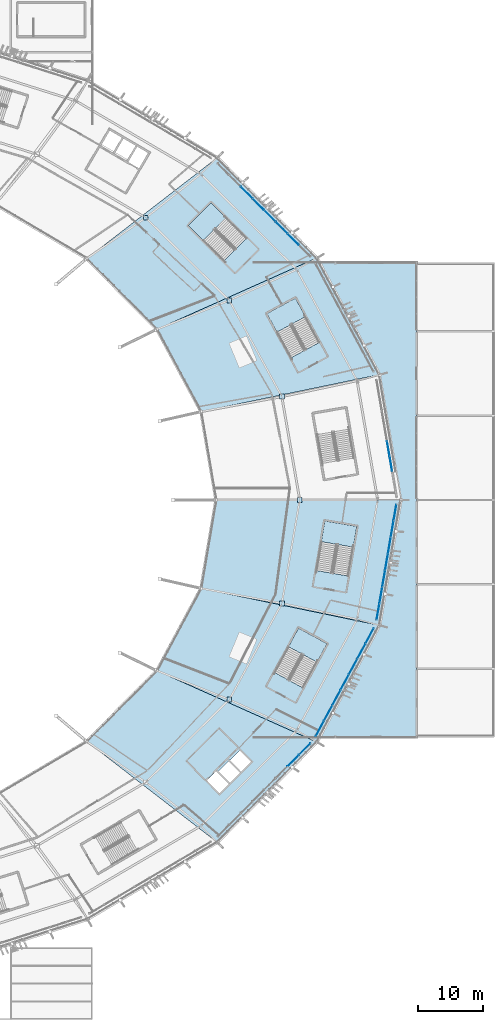
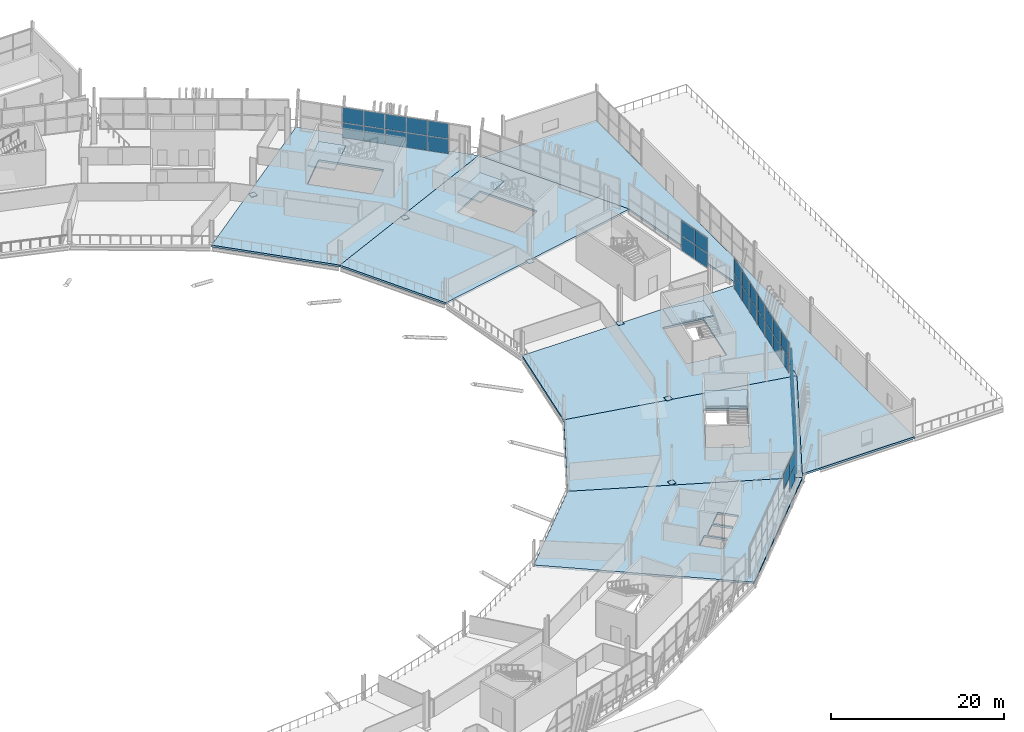
# One storey, part 87 of 168: 51 plates, 10 slabs, 9 elements without a shape of their own.
"""IFC4 building model written with IfcOpenShell, lengths in metres."""

from ifc_helpers import new_model, si_unit, direction, frame, origin, origin_2d, place, context, subcontext, project, spatial, polyline, rectangle, outline, extrude, material, layer, layer_set, type_object, element, aggregate, save


model = new_model("IFC4")

# Units and contexts
model_context = context("Model", 3, precision=1e-05, world=origin(), true_north=direction((0.0, 1.0)))
body_context = subcontext(model_context, "Body", "Model", "MODEL_VIEW")
ifc_project = project(units=[si_unit("LENGTHUNIT", "METRE"), si_unit("AREAUNIT", "SQUARE_METRE"), si_unit("VOLUMEUNIT", "CUBIC_METRE"), si_unit("PLANEANGLEUNIT", "RADIAN"), si_unit("MASSUNIT", "GRAM", prefix="KILO")], contexts=[model_context])

# Site, building, storey
site_placement = place(None, origin())
site = spatial("IfcSite", under=ifc_project, at=site_placement, CompositionType="ELEMENT")
building_placement = place(site_placement, origin())
building = spatial("IfcBuilding", under=site, at=building_placement, Name="Zlatoyarsky Gate Stadium", CompositionType="ELEMENT")
storey_placement = place(building_placement, frame((0.0, 0.0, 15.60009765625)))
storey = spatial("IfcBuildingStorey", under=building, at=storey_placement, Name="L03", CompositionType="ELEMENT", Elevation=15.60009765625)

# Curtain wall, plates
ifc_material_1 = material(Name="Thermally broken anodised aluminium curtain wall", Category="aluminium")
curtain_wall_type_1 = type_object("IfcCurtainWallType", Name="MONUMENTAL ARCHED GATE GLAZING UPPER", PredefinedType="USERDEFINED", material=ifc_material_1)
curtain_wall_1_placement = place(storey_placement, origin())
curtain_wall_1 = element("IfcCurtainWall", 1, at=curtain_wall_1_placement, inside=storey, type_object=curtain_wall_type_1, Name="Curtain wall CW-L03-00", ObjectType="ARCHED GATE GLAZING", PredefinedType="USERDEFINED")
ifc_material_2 = material(Name="Triple-glazed argon low-e architectural glass", Category="glass")
ifc_layer_1 = layer(ifc_material_2, 0.0458984375)
ifc_layer_set_1 = layer_set([ifc_layer_1], Name="Triple-glazed argon low-e architectural glass")
plate_type_1 = type_object("IfcPlateType", Name="ACOUSTIC LAMINATED GATE GLAZING PANEL 46", PredefinedType="CURTAIN_PANEL", material=ifc_layer_set_1)
plate_1_placement = place(storey_placement, frame((206.048828125, 85.58203125, 0.074951171875), z_axis=(0.0, 0.0, 1.0), x_axis=(-0.168353683036, 0.985726654508, 0.0)))
plate_1 = element("IfcPlate", 2, at=plate_1_placement, type_object=plate_type_1, Name="CW-AG2 panel 1.1", PredefinedType="CURTAIN_PANEL", context=body_context, shape_type="SweptSolid", body=[
    extrude(rectangle(XDim=2.27587890625, YDim=0.0458984375, at=origin_2d()), origin(), (0.0, 0.0, 1.0), 2.03759765625),
])
plate_2_placement = place(storey_placement, frame((206.048828125, 85.58203125, 2.1875), z_axis=(0.0, 0.0, 1.0), x_axis=(-0.168353683036, 0.985726654508, 0.0)))
plate_2 = element("IfcPlate", 3, at=plate_2_placement, type_object=plate_type_1, Name="CW-AG2 panel 1.2", PredefinedType="CURTAIN_PANEL", context=body_context, shape_type="SweptSolid", body=[
    extrude(rectangle(XDim=2.27587890625, YDim=0.0458984375, at=origin_2d()), origin(), (0.0, 0.0, 1.0), 2.117431640625),
])
plate_3_placement = place(storey_placement, frame((205.64990234375, 87.91796875, 0.074951171875), z_axis=(0.0, 0.0, 1.0), x_axis=(-0.168353683036, 0.985726654508, 0.0)))
plate_3 = element("IfcPlate", 4, at=plate_3_placement, type_object=plate_type_1, Name="CW-AG2 panel 2.1", PredefinedType="CURTAIN_PANEL", context=body_context, shape_type="SweptSolid", body=[
    extrude(rectangle(XDim=2.3134765625, YDim=0.0458984375, at=origin_2d()), origin(), (0.0, 0.0, 1.0), 2.03759765625),
])
plate_4_placement = place(storey_placement, frame((205.64990234375, 87.91796875, 2.1875), z_axis=(0.0, 0.0, 1.0), x_axis=(-0.168353683036, 0.985726654508, 0.0)))
plate_4 = element("IfcPlate", 5, at=plate_4_placement, type_object=plate_type_1, Name="CW-AG2 panel 2.2", PredefinedType="CURTAIN_PANEL", context=body_context, shape_type="SweptSolid", body=[
    extrude(rectangle(XDim=2.3134765625, YDim=0.0458984375, at=origin_2d()), origin(), (0.0, 0.0, 1.0), 2.117431640625),
])
aggregate(curtain_wall_1, [plate_1, plate_2, plate_3, plate_4])

# Slabs
ifc_material_3 = material(Name="Concrete C40/50", Category="concrete")
ifc_layer_2 = layer(ifc_material_3, 0.280029296875)
ifc_layer_set_2 = layer_set([ifc_layer_2], Name="Concrete C40/50")
slab_type_1 = type_object("IfcSlabType", Name="CONCRETE HOSPITALITY SLAB 280", PredefinedType="FLOOR", material=ifc_layer_set_2)
slab_1_placement = place(storey_placement, frame((0.0, 0.0, -0.280029296875)))
element("IfcSlab", 6, at=slab_1_placement, inside=storey, type_object=slab_type_1, Name="L03 bowl sector 01 slab", PredefinedType="FLOOR", context=body_context, shape_type="SweptSolid", body=[
    extrude(outline(polyline([(169.8896484375, 106.25), (194.74658203125, 117.35107421875), (204.4072265625, 99.33447265625), (176.68310546875, 93.587890625), (169.8896484375, 106.25)]), holes=[polyline([(195.030517578125, 104.287353515625), (191.33447265625, 111.09912109375), (186.939697265625, 108.71484375), (190.635498046875, 101.90283203125), (195.030517578125, 104.287353515625)])]), origin(), (0.0, 0.0, 1.0), 0.280029296875),
])
slab_2_placement = place(storey_placement, frame((0.0, 0.0, -0.280029296875)))
element("IfcSlab", 7, at=slab_2_placement, inside=storey, type_object=slab_type_1, Name="L03 bowl sector 02 slab", PredefinedType="FLOOR", context=body_context, shape_type="SweptSolid", body=[
    extrude(outline(polyline([(159.083251953125, 117.123046875), (179.37890625, 132.822509765625), (194.74658203125, 117.35107421875), (169.8896484375, 106.25), (159.083251953125, 117.123046875)]), holes=[polyline([(183.828125, 120.347412109375), (178.334228515625, 125.8134765625), (174.8076171875, 122.268798828125), (180.3017578125, 116.802734375), (183.828125, 120.347412109375)])]), origin(), (0.0, 0.0, 1.0), 0.280029296875),
])
slab_3_placement = place(storey_placement, frame((0.0, 0.0, -0.280029296875)))
element("IfcSlab", 8, at=slab_3_placement, inside=storey, type_object=slab_type_1, Name="L03 bowl sector 21 slab", PredefinedType="FLOOR", context=body_context, shape_type="SweptSolid", body=[
    extrude(outline(polyline([(169.8896484375, 53.75), (194.74658203125, 42.64892578125), (179.37890625, 27.177490234375), (159.083251953125, 42.876953125), (169.8896484375, 53.75)]), holes=[polyline([(179.643310546875, 34.814208984375), (181.06103515625, 36.224853515625), (179.086181640625, 38.209716796875), (177.668212890625, 36.799072265625), (179.643310546875, 34.814208984375)]), polyline([(181.23828125, 36.401123046875), (182.7978515625, 37.952880859375), (181.034423828125, 39.72509765625), (179.47509765625, 38.17333984375), (181.23828125, 36.401123046875)]), polyline([(182.97509765625, 38.129150390625), (184.53466796875, 39.680908203125), (182.771240234375, 41.452880859375), (181.2119140625, 39.9013671875), (182.97509765625, 38.129150390625)])]), origin(), (0.0, 0.0, 1.0), 0.280029296875),
])
slab_4_placement = place(storey_placement, frame((0.0, 0.0, -0.280029296875)))
element("IfcSlab", 9, at=slab_4_placement, inside=storey, type_object=slab_type_1, Name="L03 bowl sector 22 slab", PredefinedType="FLOOR", context=body_context, shape_type="SweptSolid", body=[
    extrude(outline(polyline([(176.68310546875, 66.412109375), (204.4072265625, 60.66552734375), (194.74658203125, 42.64892578125), (169.8896484375, 53.75), (176.68310546875, 66.412109375)]), holes=[polyline([(188.108154296875, 53.438720703125), (192.5029296875, 51.05419921875), (196.19873046875, 57.8662109375), (191.803955078125, 60.250732421875), (188.108154296875, 53.438720703125)])]), origin(), (0.0, 0.0, 1.0), 0.280029296875),
])
slab_5_placement = place(storey_placement, frame((0.0, 0.0, -0.280029296875)))
element("IfcSlab", 10, at=slab_5_placement, inside=storey, type_object=slab_type_1, Name="L03 bowl sector 23 slab", PredefinedType="FLOOR", context=body_context, shape_type="SweptSolid", body=[
    extrude(outline(polyline([(179.0, 80.0), (207.7021484375, 80.0), (204.4072265625, 60.66552734375), (176.68310546875, 66.412109375), (179.0, 80.0)]), holes=[polyline([(194.547607421875, 69.1416015625), (199.474609375, 68.2919921875), (200.791748046875, 75.92919921875), (195.864501953125, 76.77880859375), (194.547607421875, 69.1416015625)])]), origin(), (0.0, 0.0, 1.0), 0.280029296875),
])
slab_6_placement = place(storey_placement, frame((0.0, 0.0, -0.280029296875)))
element("IfcSlab", 11, at=slab_6_placement, inside=storey, type_object=slab_type_1, Name="L03 wing V5_EAST slab", PredefinedType="FLOOR", context=body_context, shape_type="SweptSolid", body=[
    extrude(outline(polyline([(195.07421875, 43.260009765625), (204.4072265625, 60.66552734375), (207.7021484375, 80.0), (204.4072265625, 99.33447265625), (195.07421875, 116.739990234375), (210.0, 116.739990234375), (210.0, 43.260009765625), (195.07421875, 43.260009765625)])), origin(), (0.0, 0.0, 1.0), 0.280029296875),
])

# Stair, slab
stair_type = type_object("IfcStairType", Name="CONCRETE DOGLEG EXIT STAIR H5200", PredefinedType="TWO_STRAIGHT_RUN_STAIR", material=ifc_material_3)
stair_1_placement = place(storey_placement, origin())
stair_1 = element("IfcStair", 12, at=stair_1_placement, inside=storey, type_object=stair_type, Name="L03 Exit Stair ST-02", PredefinedType="TWO_STRAIGHT_RUN_STAIR")
ifc_layer_3 = layer(ifc_material_3, 0.199951171875)
ifc_layer_set_3 = layer_set([ifc_layer_3], Name="Concrete C40/50")
slab_type_2 = type_object("IfcSlabType", Name="CONCRETE STAIR LANDING SLAB 200", PredefinedType="LANDING", material=ifc_layer_set_3)
slab_7_placement = place(storey_placement, frame((0.0, 0.0, 2.39990234375)))
slab_7 = element("IfcSlab", 13, at=slab_7_placement, type_object=slab_type_2, Name="ST-DG52 landing 1", PredefinedType="LANDING", context=body_context, shape_type="SweptSolid", body=[
    extrude(outline(polyline([(180.63818359375, 123.521240234375), (178.334228515625, 125.8134765625), (174.8076171875, 122.26904296875), (177.111572265625, 119.9765625), (180.63818359375, 123.521240234375)])), origin(), (0.0, 0.0, 1.0), 0.199951171875),
])
aggregate(stair_1, [slab_7])

stair_2_placement = place(storey_placement, origin())
stair_2 = element("IfcStair", 14, at=stair_2_placement, inside=storey, type_object=stair_type, Name="L03 Exit Stair ST-12", PredefinedType="TWO_STRAIGHT_RUN_STAIR")
slab_8_placement = place(storey_placement, frame((0.0, 0.0, 2.39990234375)))
slab_8 = element("IfcSlab", 15, at=slab_8_placement, type_object=slab_type_2, Name="ST-DG52 landing 1", PredefinedType="LANDING", context=body_context, shape_type="SweptSolid", body=[
    extrude(outline(polyline([(194.64892578125, 55.009521484375), (196.19873046875, 57.8662109375), (191.803955078125, 60.250732421875), (190.254150390625, 57.39404296875), (194.64892578125, 55.009521484375)])), origin(), (0.0, 0.0, 1.0), 0.199951171875),
])
aggregate(stair_2, [slab_8])

stair_3_placement = place(storey_placement, origin())
stair_3 = element("IfcStair", 16, at=stair_3_placement, inside=storey, type_object=stair_type, Name="L03 Exit Stair ST-13", PredefinedType="TWO_STRAIGHT_RUN_STAIR")
slab_9_placement = place(storey_placement, frame((0.0, 0.0, 2.39990234375)))
slab_9 = element("IfcSlab", 17, at=slab_9_placement, type_object=slab_type_2, Name="ST-DG52 landing 1", PredefinedType="LANDING", context=body_context, shape_type="SweptSolid", body=[
    extrude(outline(polyline([(192.884521484375, 108.24267578125), (191.33447265625, 111.09912109375), (186.939697265625, 108.71484375), (188.489501953125, 105.858154296875), (192.884521484375, 108.24267578125)])), origin(), (0.0, 0.0, 1.0), 0.199951171875),
])
aggregate(stair_3, [slab_9])

stair_4_placement = place(storey_placement, origin())
stair_4 = element("IfcStair", 18, at=stair_4_placement, inside=storey, type_object=stair_type, Name="L03 Exit Stair ST-20", PredefinedType="TWO_STRAIGHT_RUN_STAIR")
slab_10_placement = place(storey_placement, frame((0.0, 0.0, 2.39990234375)))
slab_10 = element("IfcSlab", 19, at=slab_10_placement, type_object=slab_type_2, Name="ST-DG52 landing 1", PredefinedType="LANDING", context=body_context, shape_type="SweptSolid", body=[
    extrude(outline(polyline([(200.239501953125, 72.7265625), (200.791748046875, 75.92919921875), (195.864501953125, 76.77880859375), (195.312255859375, 73.576171875), (200.239501953125, 72.7265625)])), origin(), (0.0, 0.0, 1.0), 0.199951171875),
])
aggregate(stair_4, [slab_10])

# Plates
ifc_material_4 = material(Name="Steel S355", Category="steel")
ifc_layer_4 = layer(ifc_material_4, 0.0400390625)
ifc_layer_set_4 = layer_set([ifc_layer_4], Name="Steel S355")
plate_type_2 = type_object("IfcPlateType", Name="STEEL COLUMN BASE PLATE 40", PredefinedType="USERDEFINED", material=ifc_layer_set_4)
for number, where, z_axis, x_axis, name in (
    (20, (192.0, 80.0, 0.0), (0.0, 0.0, 1.0), (1.0, 0.0, 0.0), "Column base plate BP-01 at RB-00 L03"),
    (21, (189.239990234375, 95.91748046875, 0.0), (0.0, 0.0, 1.0), (1.0, 0.0, 0.0), "Column base plate BP-01 at RB-01 L03"),
    (22, (181.148193359375, 110.75, 0.0), (0.0, 0.0, 1.0), (1.0, 0.0, 0.0), "Column base plate BP-01 at RB-02 L03"),
    (23, (168.275634765625, 123.487060546875, 0.0), (0.0, 0.0, 1.0), (1.0, 0.0, 0.0), "Column base plate BP-01 at RB-03 L03"),
    (24, (181.148193359375, 49.25, 0.0), (0.0, 0.0, 1.0), (1.0, 0.0, 0.0), "Column base plate BP-01 at RB-22 L03"),
    (25, (189.239990234375, 64.08251953125, 0.0), (0.0, 0.0, 1.0), (1.0, 0.0, 0.0), "Column base plate BP-01 at RB-23 L03"),
):
    element("IfcPlate", number, at=place(storey_placement, frame(where, z_axis=z_axis, x_axis=x_axis)), inside=storey, type_object=plate_type_2, Name=name, ObjectType="BASE PLATE", PredefinedType="USERDEFINED", context=body_context, shape_type="SweptSolid", body=[
        extrude(rectangle(XDim=0.75, YDim=0.75, at=origin_2d()), origin(), (0.0, 0.0, 1.0), 0.0400390625),
    ])

# Curtain wall, plates
curtain_wall_type_2 = type_object("IfcCurtainWallType", Name="UNITISED CORPORATE BOX GLAZING L03", PredefinedType="USERDEFINED", material=ifc_material_1)
curtain_wall_2_placement = place(storey_placement, origin())
curtain_wall_2 = element("IfcCurtainWall", 26, at=curtain_wall_2_placement, inside=storey, type_object=curtain_wall_type_2, Name="Curtain wall CW-L03-02", ObjectType="UNITISED GLAZING", PredefinedType="USERDEFINED")
ifc_layer_5 = layer(ifc_material_2, 0.0380859375)
ifc_layer_set_5 = layer_set([ifc_layer_5], Name="Triple-glazed argon low-e architectural glass")
plate_type_3 = type_object("IfcPlateType", Name="TRIPLE GLAZED LOW E CURTAIN PANEL 38", PredefinedType="CURTAIN_PANEL", material=ifc_layer_set_5)
plate_5_placement = place(storey_placement, frame((190.9931640625, 120.162841796875, 0.06494140625), z_axis=(0.0, 0.0, 1.0), x_axis=(-0.705488725202, 0.708721143054, 0.0)))
plate_5 = element("IfcPlate", 27, at=plate_5_placement, type_object=plate_type_3, Name="CW-UG3 panel 2.1", PredefinedType="CURTAIN_PANEL", context=body_context, shape_type="SweptSolid", body=[
    extrude(rectangle(XDim=2.4755859375, YDim=0.0380859375, at=origin_2d()), origin(), (0.0, 0.0, 1.0), 2.052490234375),
])
plate_6_placement = place(storey_placement, frame((190.9931640625, 120.162841796875, 2.18212890625), z_axis=(0.0, 0.0, 1.0), x_axis=(-0.705488725202, 0.708721143054, 0.0)))
plate_6 = element("IfcPlate", 28, at=plate_6_placement, type_object=plate_type_3, Name="CW-UG3 panel 2.2", PredefinedType="CURTAIN_PANEL", context=body_context, shape_type="SweptSolid", body=[
    extrude(rectangle(XDim=2.4755859375, YDim=0.0380859375, at=origin_2d()), origin(), (0.0, 0.0, 1.0), 2.132568359375),
])
plate_7_placement = place(storey_placement, frame((189.20068359375, 121.96337890625, 0.06494140625), z_axis=(0.0, 0.0, 1.0), x_axis=(-0.705488725202, 0.708721143054, 0.0)))
plate_7 = element("IfcPlate", 29, at=plate_7_placement, type_object=plate_type_3, Name="CW-UG3 panel 3.1", PredefinedType="CURTAIN_PANEL", context=body_context, shape_type="SweptSolid", body=[
    extrude(rectangle(XDim=2.4755859375, YDim=0.0380859375, at=origin_2d()), origin(), (0.0, 0.0, 1.0), 2.052490234375),
])
plate_8_placement = place(storey_placement, frame((189.20068359375, 121.96337890625, 2.18212890625), z_axis=(0.0, 0.0, 1.0), x_axis=(-0.705488725202, 0.708721143054, 0.0)))
plate_8 = element("IfcPlate", 30, at=plate_8_placement, type_object=plate_type_3, Name="CW-UG3 panel 3.2", PredefinedType="CURTAIN_PANEL", context=body_context, shape_type="SweptSolid", body=[
    extrude(rectangle(XDim=2.4755859375, YDim=0.0380859375, at=origin_2d()), origin(), (0.0, 0.0, 1.0), 2.132568359375),
])
plate_9_placement = place(storey_placement, frame((187.408203125, 123.763916015625, 0.06494140625), z_axis=(0.0, 0.0, 1.0), x_axis=(-0.705488725202, 0.708721143054, 0.0)))
plate_9 = element("IfcPlate", 31, at=plate_9_placement, type_object=plate_type_3, Name="CW-UG3 panel 4.1", PredefinedType="CURTAIN_PANEL", context=body_context, shape_type="SweptSolid", body=[
    extrude(rectangle(XDim=2.4755859375, YDim=0.0380859375, at=origin_2d()), origin(), (0.0, 0.0, 1.0), 2.052490234375),
])
plate_10_placement = place(storey_placement, frame((187.408203125, 123.763916015625, 2.18212890625), z_axis=(0.0, 0.0, 1.0), x_axis=(-0.705488725202, 0.708721143054, 0.0)))
plate_10 = element("IfcPlate", 32, at=plate_10_placement, type_object=plate_type_3, Name="CW-UG3 panel 4.2", PredefinedType="CURTAIN_PANEL", context=body_context, shape_type="SweptSolid", body=[
    extrude(rectangle(XDim=2.4755859375, YDim=0.0380859375, at=origin_2d()), origin(), (0.0, 0.0, 1.0), 2.132568359375),
])
plate_11_placement = place(storey_placement, frame((185.61572265625, 125.564697265625, 0.06494140625), z_axis=(0.0, 0.0, 1.0), x_axis=(-0.705488725202, 0.708721143054, 0.0)))
plate_11 = element("IfcPlate", 33, at=plate_11_placement, type_object=plate_type_3, Name="CW-UG3 panel 5.1", PredefinedType="CURTAIN_PANEL", context=body_context, shape_type="SweptSolid", body=[
    extrude(rectangle(XDim=2.4755859375, YDim=0.0380859375, at=origin_2d()), origin(), (0.0, 0.0, 1.0), 2.052490234375),
])
plate_12_placement = place(storey_placement, frame((185.61572265625, 125.564697265625, 2.18212890625), z_axis=(0.0, 0.0, 1.0), x_axis=(-0.705488725202, 0.708721143054, 0.0)))
plate_12 = element("IfcPlate", 34, at=plate_12_placement, type_object=plate_type_3, Name="CW-UG3 panel 5.2", PredefinedType="CURTAIN_PANEL", context=body_context, shape_type="SweptSolid", body=[
    extrude(rectangle(XDim=2.4755859375, YDim=0.0380859375, at=origin_2d()), origin(), (0.0, 0.0, 1.0), 2.132568359375),
])
plate_13_placement = place(storey_placement, frame((183.823486328125, 127.365234375, 0.06494140625), z_axis=(0.0, 0.0, 1.0), x_axis=(-0.705488725202, 0.708721143054, 0.0)))
plate_13 = element("IfcPlate", 35, at=plate_13_placement, type_object=plate_type_3, Name="CW-UG3 panel 6.1", PredefinedType="CURTAIN_PANEL", context=body_context, shape_type="SweptSolid", body=[
    extrude(rectangle(XDim=2.4755859375, YDim=0.0380859375, at=origin_2d()), origin(), (0.0, 0.0, 1.0), 2.052490234375),
])
plate_14_placement = place(storey_placement, frame((183.823486328125, 127.365234375, 2.18212890625), z_axis=(0.0, 0.0, 1.0), x_axis=(-0.705488725202, 0.708721143054, 0.0)))
plate_14 = element("IfcPlate", 36, at=plate_14_placement, type_object=plate_type_3, Name="CW-UG3 panel 6.2", PredefinedType="CURTAIN_PANEL", context=body_context, shape_type="SweptSolid", body=[
    extrude(rectangle(XDim=2.4755859375, YDim=0.0380859375, at=origin_2d()), origin(), (0.0, 0.0, 1.0), 2.132568359375),
])
aggregate(curtain_wall_2, [plate_5, plate_6, plate_7, plate_8, plate_9, plate_10, plate_11, plate_12, plate_13, plate_14])

curtain_wall_3_placement = place(storey_placement, origin())
curtain_wall_3 = element("IfcCurtainWall", 37, at=curtain_wall_3_placement, inside=storey, type_object=curtain_wall_type_2, Name="Curtain wall CW-L03-21", ObjectType="UNITISED GLAZING", PredefinedType="USERDEFINED")
plate_15_placement = place(storey_placement, frame((190.9931640625, 39.837158203125, 2.18212890625), z_axis=(0.0, 0.0, 1.0), x_axis=(0.705488725202, 0.708721143054, 0.0)))
plate_15 = element("IfcPlate", 38, at=plate_15_placement, type_object=plate_type_3, Name="CW-UG3 panel 7.2", PredefinedType="CURTAIN_PANEL", context=body_context, shape_type="SweptSolid", body=[
    extrude(rectangle(XDim=2.4755859375, YDim=0.0380859375, at=origin_2d()), origin(), (0.0, 0.0, 1.0), 2.132568359375),
])
plate_16_placement = place(storey_placement, frame((192.77392578125, 41.62646484375, 0.06494140625), z_axis=(0.0, 0.0, 1.0), x_axis=(0.705488725202, 0.708721143054, 0.0)))
plate_16 = element("IfcPlate", 39, at=plate_16_placement, type_object=plate_type_3, Name="CW-UG3 panel 8.1", PredefinedType="CURTAIN_PANEL", context=body_context, shape_type="SweptSolid", body=[
    extrude(rectangle(XDim=2.443115234375, YDim=0.0380859375, at=origin_2d()), origin(), (0.0, 0.0, 1.0), 2.052490234375),
])
plate_17_placement = place(storey_placement, frame((192.77392578125, 41.62646484375, 2.18212890625), z_axis=(0.0, 0.0, 1.0), x_axis=(0.705488725202, 0.708721143054, 0.0)))
plate_17 = element("IfcPlate", 40, at=plate_17_placement, type_object=plate_type_3, Name="CW-UG3 panel 8.2", PredefinedType="CURTAIN_PANEL", context=body_context, shape_type="SweptSolid", body=[
    extrude(rectangle(XDim=2.443115234375, YDim=0.0380859375, at=origin_2d()), origin(), (0.0, 0.0, 1.0), 2.132568359375),
])
aggregate(curtain_wall_3, [plate_15, plate_16, plate_17])

curtain_wall_4_placement = place(storey_placement, origin())
curtain_wall_4 = element("IfcCurtainWall", 41, at=curtain_wall_4_placement, inside=storey, type_object=curtain_wall_type_2, Name="Curtain wall CW-L03-22", ObjectType="UNITISED GLAZING", PredefinedType="USERDEFINED")
plate_18_placement = place(storey_placement, frame((195.0966796875, 44.77880859375, 0.06494140625), z_axis=(0.0, 0.0, 1.0), x_axis=(0.473344857694, 0.880877202392, 0.0)))
plate_18 = element("IfcPlate", 42, at=plate_18_placement, type_object=plate_type_3, Name="CW-UG3 panel 1.1", PredefinedType="CURTAIN_PANEL", context=body_context, shape_type="SweptSolid", body=[
    extrude(rectangle(XDim=2.611328125, YDim=0.0380859375, at=origin_2d()), origin(), (0.0, 0.0, 1.0), 2.052490234375),
])
plate_19_placement = place(storey_placement, frame((195.0966796875, 44.77880859375, 2.18212890625), z_axis=(0.0, 0.0, 1.0), x_axis=(0.473344857694, 0.880877202392, 0.0)))
plate_19 = element("IfcPlate", 43, at=plate_19_placement, type_object=plate_type_3, Name="CW-UG3 panel 1.2", PredefinedType="CURTAIN_PANEL", context=body_context, shape_type="SweptSolid", body=[
    extrude(rectangle(XDim=2.611328125, YDim=0.0380859375, at=origin_2d()), origin(), (0.0, 0.0, 1.0), 2.132568359375),
])
plate_20_placement = place(storey_placement, frame((196.371337890625, 47.150634765625, 0.06494140625), z_axis=(0.0, 0.0, 1.0), x_axis=(0.473344857694, 0.880877202392, 0.0)))
plate_20 = element("IfcPlate", 44, at=plate_20_placement, type_object=plate_type_3, Name="CW-UG3 panel 2.1", PredefinedType="CURTAIN_PANEL", context=body_context, shape_type="SweptSolid", body=[
    extrude(rectangle(XDim=2.643798828125, YDim=0.0380859375, at=origin_2d()), origin(), (0.0, 0.0, 1.0), 2.052490234375),
])
plate_21_placement = place(storey_placement, frame((196.371337890625, 47.150634765625, 2.18212890625), z_axis=(0.0, 0.0, 1.0), x_axis=(0.473344857694, 0.880877202392, 0.0)))
plate_21 = element("IfcPlate", 45, at=plate_21_placement, type_object=plate_type_3, Name="CW-UG3 panel 2.2", PredefinedType="CURTAIN_PANEL", context=body_context, shape_type="SweptSolid", body=[
    extrude(rectangle(XDim=2.643798828125, YDim=0.0380859375, at=origin_2d()), origin(), (0.0, 0.0, 1.0), 2.132568359375),
])
plate_22_placement = place(storey_placement, frame((197.653564453125, 49.536865234375, 0.06494140625), z_axis=(0.0, 0.0, 1.0), x_axis=(0.473344857694, 0.880877202392, 0.0)))
plate_22 = element("IfcPlate", 46, at=plate_22_placement, type_object=plate_type_3, Name="CW-UG3 panel 3.1", PredefinedType="CURTAIN_PANEL", context=body_context, shape_type="SweptSolid", body=[
    extrude(rectangle(XDim=2.643798828125, YDim=0.0380859375, at=origin_2d()), origin(), (0.0, 0.0, 1.0), 2.052490234375),
])
plate_23_placement = place(storey_placement, frame((197.653564453125, 49.536865234375, 2.18212890625), z_axis=(0.0, 0.0, 1.0), x_axis=(0.473344857694, 0.880877202392, 0.0)))
plate_23 = element("IfcPlate", 47, at=plate_23_placement, type_object=plate_type_3, Name="CW-UG3 panel 3.2", PredefinedType="CURTAIN_PANEL", context=body_context, shape_type="SweptSolid", body=[
    extrude(rectangle(XDim=2.643798828125, YDim=0.0380859375, at=origin_2d()), origin(), (0.0, 0.0, 1.0), 2.132568359375),
])
plate_24_placement = place(storey_placement, frame((198.935546875, 51.9228515625, 0.06494140625), z_axis=(0.0, 0.0, 1.0), x_axis=(0.473344857694, 0.880877202392, 0.0)))
plate_24 = element("IfcPlate", 48, at=plate_24_placement, type_object=plate_type_3, Name="CW-UG3 panel 4.1", PredefinedType="CURTAIN_PANEL", context=body_context, shape_type="SweptSolid", body=[
    extrude(rectangle(XDim=2.643798828125, YDim=0.0380859375, at=origin_2d()), origin(), (0.0, 0.0, 1.0), 2.052490234375),
])
plate_25_placement = place(storey_placement, frame((198.935546875, 51.9228515625, 2.18212890625), z_axis=(0.0, 0.0, 1.0), x_axis=(0.473344857694, 0.880877202392, 0.0)))
plate_25 = element("IfcPlate", 49, at=plate_25_placement, type_object=plate_type_3, Name="CW-UG3 panel 4.2", PredefinedType="CURTAIN_PANEL", context=body_context, shape_type="SweptSolid", body=[
    extrude(rectangle(XDim=2.643798828125, YDim=0.0380859375, at=origin_2d()), origin(), (0.0, 0.0, 1.0), 2.132568359375),
])
plate_26_placement = place(storey_placement, frame((200.2177734375, 54.308837890625, 0.06494140625), z_axis=(0.0, 0.0, 1.0), x_axis=(0.473344857694, 0.880877202392, 0.0)))
plate_26 = element("IfcPlate", 50, at=plate_26_placement, type_object=plate_type_3, Name="CW-UG3 panel 5.1", PredefinedType="CURTAIN_PANEL", context=body_context, shape_type="SweptSolid", body=[
    extrude(rectangle(XDim=2.643798828125, YDim=0.0380859375, at=origin_2d()), origin(), (0.0, 0.0, 1.0), 2.052490234375),
])
plate_27_placement = place(storey_placement, frame((200.2177734375, 54.308837890625, 2.18212890625), z_axis=(0.0, 0.0, 1.0), x_axis=(0.473344857694, 0.880877202392, 0.0)))
plate_27 = element("IfcPlate", 51, at=plate_27_placement, type_object=plate_type_3, Name="CW-UG3 panel 5.2", PredefinedType="CURTAIN_PANEL", context=body_context, shape_type="SweptSolid", body=[
    extrude(rectangle(XDim=2.643798828125, YDim=0.0380859375, at=origin_2d()), origin(), (0.0, 0.0, 1.0), 2.132568359375),
])
plate_28_placement = place(storey_placement, frame((201.5, 56.695068359375, 0.06494140625), z_axis=(0.0, 0.0, 1.0), x_axis=(0.473344857694, 0.880877202392, 0.0)))
plate_28 = element("IfcPlate", 52, at=plate_28_placement, type_object=plate_type_3, Name="CW-UG3 panel 6.1", PredefinedType="CURTAIN_PANEL", context=body_context, shape_type="SweptSolid", body=[
    extrude(rectangle(XDim=2.643798828125, YDim=0.0380859375, at=origin_2d()), origin(), (0.0, 0.0, 1.0), 2.052490234375),
])
plate_29_placement = place(storey_placement, frame((201.5, 56.695068359375, 2.18212890625), z_axis=(0.0, 0.0, 1.0), x_axis=(0.473344857694, 0.880877202392, 0.0)))
plate_29 = element("IfcPlate", 53, at=plate_29_placement, type_object=plate_type_3, Name="CW-UG3 panel 6.2", PredefinedType="CURTAIN_PANEL", context=body_context, shape_type="SweptSolid", body=[
    extrude(rectangle(XDim=2.643798828125, YDim=0.0380859375, at=origin_2d()), origin(), (0.0, 0.0, 1.0), 2.132568359375),
])
plate_30_placement = place(storey_placement, frame((202.7744140625, 59.06689453125, 0.06494140625), z_axis=(0.0, 0.0, 1.0), x_axis=(0.473344857694, 0.880877202392, 0.0)))
plate_30 = element("IfcPlate", 54, at=plate_30_placement, type_object=plate_type_3, Name="CW-UG3 panel 7.1", PredefinedType="CURTAIN_PANEL", context=body_context, shape_type="SweptSolid", body=[
    extrude(rectangle(XDim=2.611328125, YDim=0.0380859375, at=origin_2d()), origin(), (0.0, 0.0, 1.0), 2.052490234375),
])
plate_31_placement = place(storey_placement, frame((202.7744140625, 59.06689453125, 2.18212890625), z_axis=(0.0, 0.0, 1.0), x_axis=(0.473344857694, 0.880877202392, 0.0)))
plate_31 = element("IfcPlate", 55, at=plate_31_placement, type_object=plate_type_3, Name="CW-UG3 panel 7.2", PredefinedType="CURTAIN_PANEL", context=body_context, shape_type="SweptSolid", body=[
    extrude(rectangle(XDim=2.611328125, YDim=0.0380859375, at=origin_2d()), origin(), (0.0, 0.0, 1.0), 2.132568359375),
])
aggregate(curtain_wall_4, [plate_18, plate_19, plate_20, plate_21, plate_22, plate_23, plate_24, plate_25, plate_26, plate_27, plate_28, plate_29, plate_30, plate_31])

curtain_wall_5_placement = place(storey_placement, origin())
curtain_wall_5 = element("IfcCurtainWall", 56, at=curtain_wall_5_placement, inside=storey, type_object=curtain_wall_type_2, Name="Curtain wall CW-L03-23", ObjectType="UNITISED GLAZING", PredefinedType="USERDEFINED")
plate_32_placement = place(storey_placement, frame((204.061279296875, 62.780029296875, 0.06494140625), z_axis=(0.0, 0.0, 1.0), x_axis=(0.168356330104, 0.985726202408, 0.0)))
plate_32 = element("IfcPlate", 57, at=plate_32_placement, type_object=plate_type_3, Name="CW-UG3 panel 1.1", PredefinedType="CURTAIN_PANEL", context=body_context, shape_type="SweptSolid", body=[
    extrude(rectangle(XDim=2.49267578125, YDim=0.0380859375, at=origin_2d()), origin(), (0.0, 0.0, 1.0), 2.052490234375),
])
plate_33_placement = place(storey_placement, frame((204.061279296875, 62.780029296875, 2.18212890625), z_axis=(0.0, 0.0, 1.0), x_axis=(0.168356330104, 0.985726202408, 0.0)))
plate_33 = element("IfcPlate", 58, at=plate_33_placement, type_object=plate_type_3, Name="CW-UG3 panel 1.2", PredefinedType="CURTAIN_PANEL", context=body_context, shape_type="SweptSolid", body=[
    extrude(rectangle(XDim=2.49267578125, YDim=0.0380859375, at=origin_2d()), origin(), (0.0, 0.0, 1.0), 2.132568359375),
])
plate_34_placement = place(storey_placement, frame((204.494384765625, 65.317138671875, 0.06494140625), z_axis=(0.0, 0.0, 1.0), x_axis=(0.168356330104, 0.985726202408, 0.0)))
plate_34 = element("IfcPlate", 59, at=plate_34_placement, type_object=plate_type_3, Name="CW-UG3 panel 2.1", PredefinedType="CURTAIN_PANEL", context=body_context, shape_type="SweptSolid", body=[
    extrude(rectangle(XDim=2.525146484375, YDim=0.0380859375, at=origin_2d()), origin(), (0.0, 0.0, 1.0), 2.052490234375),
])
plate_35_placement = place(storey_placement, frame((204.494384765625, 65.317138671875, 2.18212890625), z_axis=(0.0, 0.0, 1.0), x_axis=(0.168356330104, 0.985726202408, 0.0)))
plate_35 = element("IfcPlate", 60, at=plate_35_placement, type_object=plate_type_3, Name="CW-UG3 panel 2.2", PredefinedType="CURTAIN_PANEL", context=body_context, shape_type="SweptSolid", body=[
    extrude(rectangle(XDim=2.525146484375, YDim=0.0380859375, at=origin_2d()), origin(), (0.0, 0.0, 1.0), 2.132568359375),
])
plate_36_placement = place(storey_placement, frame((204.9306640625, 67.870361328125, 0.06494140625), z_axis=(0.0, 0.0, 1.0), x_axis=(0.168356330104, 0.985726202408, 0.0)))
plate_36 = element("IfcPlate", 61, at=plate_36_placement, type_object=plate_type_3, Name="CW-UG3 panel 3.1", PredefinedType="CURTAIN_PANEL", context=body_context, shape_type="SweptSolid", body=[
    extrude(rectangle(XDim=2.525146484375, YDim=0.0380859375, at=origin_2d()), origin(), (0.0, 0.0, 1.0), 2.052490234375),
])
plate_37_placement = place(storey_placement, frame((204.9306640625, 67.870361328125, 2.18212890625), z_axis=(0.0, 0.0, 1.0), x_axis=(0.168356330104, 0.985726202408, 0.0)))
plate_37 = element("IfcPlate", 62, at=plate_37_placement, type_object=plate_type_3, Name="CW-UG3 panel 3.2", PredefinedType="CURTAIN_PANEL", context=body_context, shape_type="SweptSolid", body=[
    extrude(rectangle(XDim=2.525146484375, YDim=0.0380859375, at=origin_2d()), origin(), (0.0, 0.0, 1.0), 2.132568359375),
])
plate_38_placement = place(storey_placement, frame((205.36669921875, 70.42333984375, 0.06494140625), z_axis=(0.0, 0.0, 1.0), x_axis=(0.168356330104, 0.985726202408, 0.0)))
plate_38 = element("IfcPlate", 63, at=plate_38_placement, type_object=plate_type_3, Name="CW-UG3 panel 4.1", PredefinedType="CURTAIN_PANEL", context=body_context, shape_type="SweptSolid", body=[
    extrude(rectangle(XDim=2.525146484375, YDim=0.0380859375, at=origin_2d()), origin(), (0.0, 0.0, 1.0), 2.052490234375),
])
plate_39_placement = place(storey_placement, frame((205.36669921875, 70.42333984375, 2.18212890625), z_axis=(0.0, 0.0, 1.0), x_axis=(0.168356330104, 0.985726202408, 0.0)))
plate_39 = element("IfcPlate", 64, at=plate_39_placement, type_object=plate_type_3, Name="CW-UG3 panel 4.2", PredefinedType="CURTAIN_PANEL", context=body_context, shape_type="SweptSolid", body=[
    extrude(rectangle(XDim=2.525146484375, YDim=0.0380859375, at=origin_2d()), origin(), (0.0, 0.0, 1.0), 2.132568359375),
])
plate_40_placement = place(storey_placement, frame((205.802734375, 72.9765625, 0.06494140625), z_axis=(0.0, 0.0, 1.0), x_axis=(0.168356330104, 0.985726202408, 0.0)))
plate_40 = element("IfcPlate", 65, at=plate_40_placement, type_object=plate_type_3, Name="CW-UG3 panel 5.1", PredefinedType="CURTAIN_PANEL", context=body_context, shape_type="SweptSolid", body=[
    extrude(rectangle(XDim=2.525146484375, YDim=0.0380859375, at=origin_2d()), origin(), (0.0, 0.0, 1.0), 2.052490234375),
])
plate_41_placement = place(storey_placement, frame((205.802734375, 72.9765625, 2.18212890625), z_axis=(0.0, 0.0, 1.0), x_axis=(0.168356330104, 0.985726202408, 0.0)))
plate_41 = element("IfcPlate", 66, at=plate_41_placement, type_object=plate_type_3, Name="CW-UG3 panel 5.2", PredefinedType="CURTAIN_PANEL", context=body_context, shape_type="SweptSolid", body=[
    extrude(rectangle(XDim=2.525146484375, YDim=0.0380859375, at=origin_2d()), origin(), (0.0, 0.0, 1.0), 2.132568359375),
])
plate_42_placement = place(storey_placement, frame((206.23876953125, 75.529541015625, 0.06494140625), z_axis=(0.0, 0.0, 1.0), x_axis=(0.168356330104, 0.985726202408, 0.0)))
plate_42 = element("IfcPlate", 67, at=plate_42_placement, type_object=plate_type_3, Name="CW-UG3 panel 6.1", PredefinedType="CURTAIN_PANEL", context=body_context, shape_type="SweptSolid", body=[
    extrude(rectangle(XDim=2.525146484375, YDim=0.0380859375, at=origin_2d()), origin(), (0.0, 0.0, 1.0), 2.052490234375),
])
plate_43_placement = place(storey_placement, frame((206.23876953125, 75.529541015625, 2.18212890625), z_axis=(0.0, 0.0, 1.0), x_axis=(0.168356330104, 0.985726202408, 0.0)))
plate_43 = element("IfcPlate", 68, at=plate_43_placement, type_object=plate_type_3, Name="CW-UG3 panel 6.2", PredefinedType="CURTAIN_PANEL", context=body_context, shape_type="SweptSolid", body=[
    extrude(rectangle(XDim=2.525146484375, YDim=0.0380859375, at=origin_2d()), origin(), (0.0, 0.0, 1.0), 2.132568359375),
])
plate_44_placement = place(storey_placement, frame((206.672119140625, 78.066650390625, 0.06494140625), z_axis=(0.0, 0.0, 1.0), x_axis=(0.168356330104, 0.985726202408, 0.0)))
plate_44 = element("IfcPlate", 69, at=plate_44_placement, type_object=plate_type_3, Name="CW-UG3 panel 7.1", PredefinedType="CURTAIN_PANEL", context=body_context, shape_type="SweptSolid", body=[
    extrude(rectangle(XDim=2.49267578125, YDim=0.0380859375, at=origin_2d()), origin(), (0.0, 0.0, 1.0), 2.052490234375),
])
plate_45_placement = place(storey_placement, frame((206.672119140625, 78.066650390625, 2.18212890625), z_axis=(0.0, 0.0, 1.0), x_axis=(0.168356330104, 0.985726202408, 0.0)))
plate_45 = element("IfcPlate", 70, at=plate_45_placement, type_object=plate_type_3, Name="CW-UG3 panel 7.2", PredefinedType="CURTAIN_PANEL", context=body_context, shape_type="SweptSolid", body=[
    extrude(rectangle(XDim=2.49267578125, YDim=0.0380859375, at=origin_2d()), origin(), (0.0, 0.0, 1.0), 2.132568359375),
])
aggregate(curtain_wall_5, [plate_32, plate_33, plate_34, plate_35, plate_36, plate_37, plate_38, plate_39, plate_40, plate_41, plate_42, plate_43, plate_44, plate_45])

save(model, "model.ifc")
